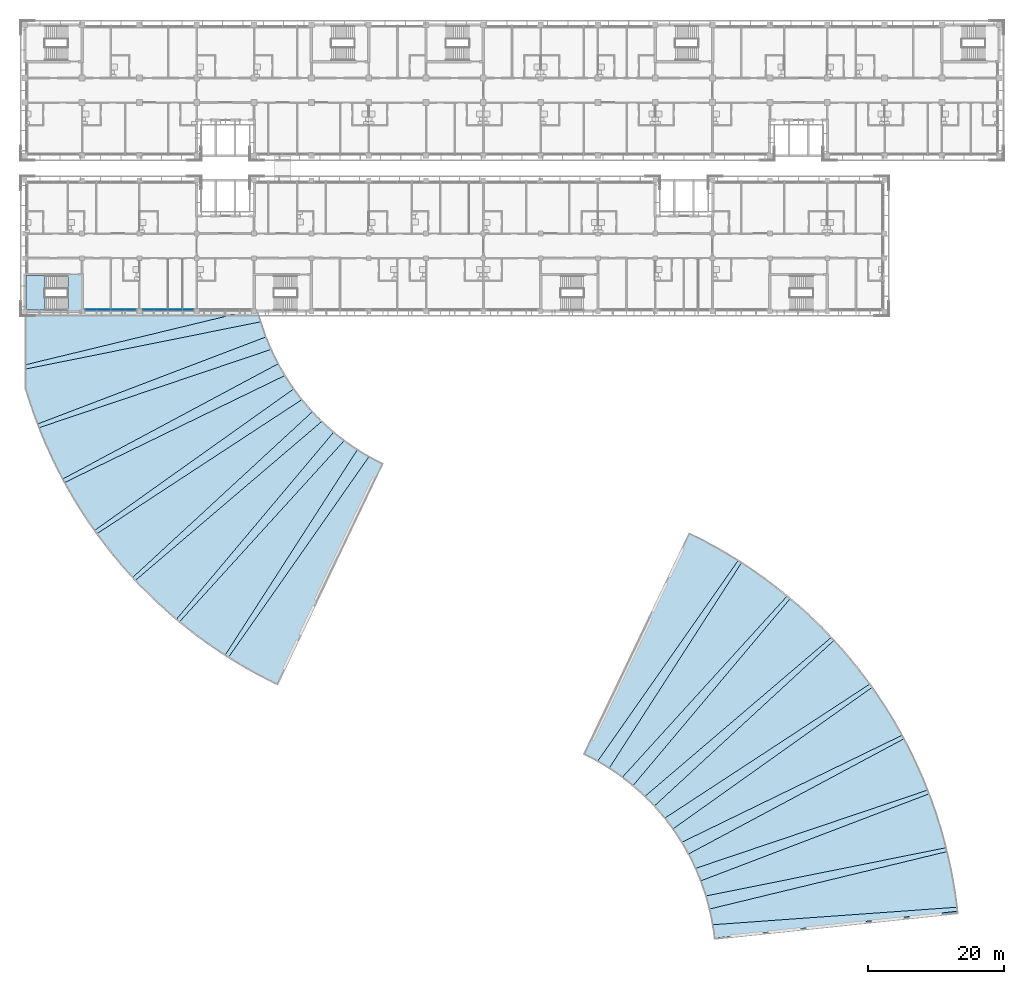
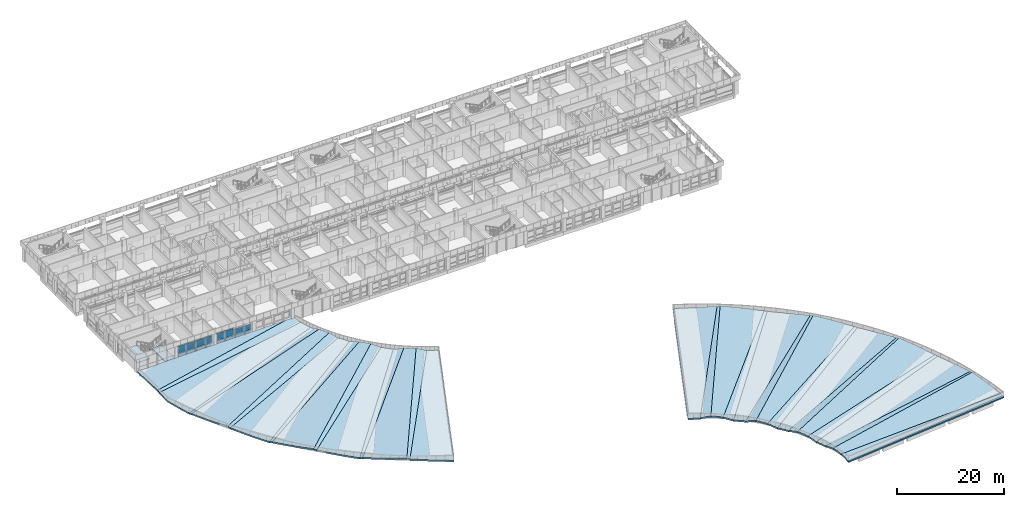
# One storey, part 20 of 74: 34 slabs, 11 plates, 3 elements without a shape of their own.
"""IFC4 building model written with IfcOpenShell, lengths in metres."""

from ifc_helpers import new_model, si_unit, direction, frame, origin, origin_2d, place, context, subcontext, project, spatial, polyline, rectangle, outline, extrude, material, layer, layer_set, type_object, element, aggregate, save


model = new_model("IFC4")

# Units and contexts
model_context = context("Model", 3, precision=1e-05, world=origin(), true_north=direction((0.0, 1.0)))
body_context = subcontext(model_context, "Body", "Model", "MODEL_VIEW")
ifc_project = project(units=[si_unit("LENGTHUNIT", "METRE"), si_unit("AREAUNIT", "SQUARE_METRE"), si_unit("VOLUMEUNIT", "CUBIC_METRE"), si_unit("PLANEANGLEUNIT", "RADIAN"), si_unit("MASSUNIT", "GRAM", prefix="KILO")], contexts=[model_context])

# Site, building, storey
site_placement = place(None, origin())
site = spatial("IfcSite", under=ifc_project, at=site_placement, CompositionType="ELEMENT")
building_placement = place(site_placement, origin())
building = spatial("IfcBuilding", under=site, at=building_placement, Name="Bougainvillea Quay General Hospital", CompositionType="ELEMENT")
storey_placement = place(building_placement, frame((0.0, 0.0, 21.0)))
storey = spatial("IfcBuildingStorey", under=building, at=storey_placement, Name="L04", CompositionType="ELEMENT", Elevation=21.0)

# Curtain wall, plates
ifc_material_1 = material(Name="Aluminium curtain wall system, powder-coated glazed", Category="aluminium")
curtain_wall_type = type_object("IfcCurtainWallType", Name="Unitised curtain wall CW-3730", PredefinedType="NOTDEFINED", material=ifc_material_1)
curtain_wall_1_placement = place(storey_placement, origin())
curtain_wall_1 = element("IfcCurtainWall", 1, at=curtain_wall_1_placement, inside=storey, type_object=curtain_wall_type, Name="CW-4200 00", PredefinedType="NOTDEFINED")
ifc_material_2 = material(Name="Insulated aluminium spandrel panel, white", Category="aluminium")
ifc_layer_1 = layer(ifc_material_2, 0.028076171875)
ifc_layer_set_1 = layer_set([ifc_layer_1], Name="Insulated aluminium spandrel panel, white")
plate_type_1 = type_object("IfcPlateType", Name="Insulated spandrel panel white 28", PredefinedType="CURTAIN_PANEL", material=ifc_layer_set_1)
plate_1_placement = place(storey_placement, frame((52.75, 117.85009765625, 0.06005859375), z_axis=(0.0, 0.0, 1.0), x_axis=(1.0, 0.0, 0.0)))
plate_1 = element("IfcPlate", 2, at=plate_1_placement, type_object=plate_type_1, Name="CW-4200 spandrel panel 1.1", PredefinedType="CURTAIN_PANEL", context=body_context, shape_type="SweptSolid", body=[
    extrude(rectangle(XDim=3.639892578125, YDim=0.028076171875, at=origin_2d()), origin(), (0.0, 0.0, 1.0), 0.81005859375),
])
plate_2_placement = place(storey_placement, frame((52.75, 117.85009765625, 2.2802734375), z_axis=(0.0, 0.0, 1.0), x_axis=(1.0, 0.0, 0.0)))
plate_2 = element("IfcPlate", 3, at=plate_2_placement, type_object=plate_type_1, Name="CW-4200 spandrel panel 1.3", PredefinedType="CURTAIN_PANEL", context=body_context, shape_type="SweptSolid", body=[
    extrude(rectangle(XDim=3.639892578125, YDim=0.028076171875, at=origin_2d()), origin(), (0.0, 0.0, 1.0), 0.409912109375),
])
plate_3_placement = place(storey_placement, frame((56.449951171875, 117.85009765625, 0.06005859375), z_axis=(0.0, 0.0, 1.0), x_axis=(1.0, 0.0, 0.0)))
plate_3 = element("IfcPlate", 4, at=plate_3_placement, type_object=plate_type_1, Name="CW-4200 spandrel panel 2.1", PredefinedType="CURTAIN_PANEL", context=body_context, shape_type="SweptSolid", body=[
    extrude(rectangle(XDim=3.639892578125, YDim=0.028076171875, at=origin_2d()), origin(), (0.0, 0.0, 1.0), 0.81005859375),
])
plate_4_placement = place(storey_placement, frame((56.449951171875, 117.85009765625, 2.2802734375), z_axis=(0.0, 0.0, 1.0), x_axis=(1.0, 0.0, 0.0)))
plate_4 = element("IfcPlate", 5, at=plate_4_placement, type_object=plate_type_1, Name="CW-4200 spandrel panel 2.3", PredefinedType="CURTAIN_PANEL", context=body_context, shape_type="SweptSolid", body=[
    extrude(rectangle(XDim=3.639892578125, YDim=0.028076171875, at=origin_2d()), origin(), (0.0, 0.0, 1.0), 0.409912109375),
])

curtain_wall_2_placement = place(storey_placement, origin())
curtain_wall_2 = element("IfcCurtainWall", 6, at=curtain_wall_2_placement, inside=storey, type_object=curtain_wall_type, Name="CW-4200 01", PredefinedType="NOTDEFINED")
plate_5_placement = place(storey_placement, frame((61.14990234375, 117.85009765625, 0.06005859375), z_axis=(0.0, 0.0, 1.0), x_axis=(1.0, 0.0, 0.0)))
plate_5 = element("IfcPlate", 7, at=plate_5_placement, type_object=plate_type_1, Name="CW-4200 spandrel panel 1.1", PredefinedType="CURTAIN_PANEL", context=body_context, shape_type="SweptSolid", body=[
    extrude(rectangle(XDim=3.639892578125, YDim=0.028076171875, at=origin_2d()), origin(), (0.0, 0.0, 1.0), 0.81005859375),
])
plate_6_placement = place(storey_placement, frame((61.14990234375, 117.85009765625, 2.2802734375), z_axis=(0.0, 0.0, 1.0), x_axis=(1.0, 0.0, 0.0)))
plate_6 = element("IfcPlate", 8, at=plate_6_placement, type_object=plate_type_1, Name="CW-4200 spandrel panel 1.3", PredefinedType="CURTAIN_PANEL", context=body_context, shape_type="SweptSolid", body=[
    extrude(rectangle(XDim=3.639892578125, YDim=0.028076171875, at=origin_2d()), origin(), (0.0, 0.0, 1.0), 0.409912109375),
])
plate_7_placement = place(storey_placement, frame((64.85009765625, 117.85009765625, 0.06005859375), z_axis=(0.0, 0.0, 1.0), x_axis=(1.0, 0.0, 0.0)))
plate_7 = element("IfcPlate", 9, at=plate_7_placement, type_object=plate_type_1, Name="CW-4200 spandrel panel 2.1", PredefinedType="CURTAIN_PANEL", context=body_context, shape_type="SweptSolid", body=[
    extrude(rectangle(XDim=3.639892578125, YDim=0.028076171875, at=origin_2d()), origin(), (0.0, 0.0, 1.0), 0.81005859375),
])

# Plate
ifc_material_3 = material(Name="Low-e laminated glass, solar control", Category="glass")
ifc_layer_2 = layer(ifc_material_3, 0.028076171875)
ifc_layer_set_2 = layer_set([ifc_layer_2], Name="Low-e laminated glass, solar control")
plate_type_2 = type_object("IfcPlateType", Name="Low-e laminated vision glass 28", PredefinedType="CURTAIN_PANEL", material=ifc_layer_set_2)
plate_8_placement = place(storey_placement, frame((52.75, 117.85009765625, 0.929931640625), z_axis=(0.0, 0.0, 1.0), x_axis=(1.0, 0.0, 0.0)))
plate_8 = element("IfcPlate", 10, at=plate_8_placement, type_object=plate_type_2, Name="CW-4200 vision glass panel 1.2", PredefinedType="CURTAIN_PANEL", context=body_context, shape_type="SweptSolid", body=[
    extrude(rectangle(XDim=3.639892578125, YDim=0.028076171875, at=origin_2d()), origin(), (0.0, 0.0, 1.0), 1.2900390625),
])

plate_9_placement = place(storey_placement, frame((56.449951171875, 117.85009765625, 0.929931640625), z_axis=(0.0, 0.0, 1.0), x_axis=(1.0, 0.0, 0.0)))
plate_9 = element("IfcPlate", 11, at=plate_9_placement, type_object=plate_type_2, Name="CW-4200 vision glass panel 2.2", PredefinedType="CURTAIN_PANEL", context=body_context, shape_type="SweptSolid", body=[
    extrude(rectangle(XDim=3.639892578125, YDim=0.028076171875, at=origin_2d()), origin(), (0.0, 0.0, 1.0), 1.2900390625),
])

aggregate(curtain_wall_1, [plate_1, plate_8, plate_2, plate_3, plate_9, plate_4])

plate_10_placement = place(storey_placement, frame((61.14990234375, 117.85009765625, 0.929931640625), z_axis=(0.0, 0.0, 1.0), x_axis=(1.0, 0.0, 0.0)))
plate_10 = element("IfcPlate", 12, at=plate_10_placement, type_object=plate_type_2, Name="CW-4200 vision glass panel 1.2", PredefinedType="CURTAIN_PANEL", context=body_context, shape_type="SweptSolid", body=[
    extrude(rectangle(XDim=3.639892578125, YDim=0.028076171875, at=origin_2d()), origin(), (0.0, 0.0, 1.0), 1.2900390625),
])

plate_11_placement = place(storey_placement, frame((64.85009765625, 117.85009765625, 0.929931640625), z_axis=(0.0, 0.0, 1.0), x_axis=(1.0, 0.0, 0.0)))
plate_11 = element("IfcPlate", 13, at=plate_11_placement, type_object=plate_type_2, Name="CW-4200 vision glass panel 2.2", PredefinedType="CURTAIN_PANEL", context=body_context, shape_type="SweptSolid", body=[
    extrude(rectangle(XDim=3.639892578125, YDim=0.028076171875, at=origin_2d()), origin(), (0.0, 0.0, 1.0), 1.2900390625),
])

aggregate(curtain_wall_2, [plate_5, plate_10, plate_6, plate_7, plate_11])

# Slabs
ifc_material_4 = material(Name="Concrete C35", Category="concrete")
ifc_layer_3 = layer(ifc_material_4, 0.300048828125)
ifc_layer_set_3 = layer_set([ifc_layer_3], Name="Concrete C35")
slab_type_1 = type_object("IfcSlabType", Name="RC FLAT SLAB 300 C35", PredefinedType="FLOOR", material=ifc_layer_set_3)
slab_1_placement = place(storey_placement, frame((0.0, 0.0, -0.300048828125)))
element("IfcSlab", 14, at=slab_1_placement, inside=storey, type_object=slab_type_1, Name="Stair landing floor ST-B1 L04", PredefinedType="FLOOR", context=body_context, shape_type="SweptSolid", body=[
    extrude(outline(polyline([(47.702880859375, 122.8837890625), (47.71142578125, 122.942138671875), (47.725830078125, 122.99951171875), (50.39990234375, 123.0), (50.39990234375, 117.60009765625), (47.725830078125, 117.600341796875), (47.71142578125, 117.657958984375), (47.702880859375, 117.71630859375), (47.699951171875, 117.77392578125), (48.300537109375, 117.7744140625), (48.300537109375, 122.82568359375), (47.699951171875, 122.825927734375), (47.702880859375, 122.8837890625)])), origin(), (0.0, 0.0, 1.0), 0.300048828125),
])
ifc_layer_4 = layer(ifc_material_4, 0.35009765625)
ifc_layer_set_4 = layer_set([ifc_layer_4], Name="Concrete C35")
slab_type_2 = type_object("IfcSlabType", Name="RC WAVED ROOF PLATE 350 C35", PredefinedType="ROOF", material=ifc_layer_set_4)
slab_2_placement = place(storey_placement, frame((92.49658203125, 96.38818359375, 0.1298828125), z_axis=(0.05026813111, -0.023979823284, 0.99844783693), x_axis=(-0.573500368386, -0.819153641927, 0.009199911897)))
element("IfcSlab", 15, at=slab_2_placement, inside=storey, type_object=slab_type_2, Name="Roof plate RP1-01", PredefinedType="ROOF", context=body_context, shape_type="SweptSolid", body=[
    extrude(outline(polyline([(0.0, 0.0), (36.083413666935975, -3.0080105073437835e-15), (36.00462326112659, 1.4149746307486326), (35.866955024796006, 3.1334945956484623), (35.68698276387815, 4.84774308786986), (35.46443094104074, 6.558092535054167), (35.200659796574705, 8.261328464552726), (-0.3047295452974218, 2.3134800936653073), (-0.17579810892597453, 1.4854695056035003), (0.0, 0.0)])), origin(), (-0.009199911897, 0.054929760159, -0.99844783693), 0.35009765625),
])
slab_3_placement = place(storey_placement, frame((71.802734375, 66.830322265625, 0.4619140625), z_axis=(0.193937407795, -0.124845244504, 0.973037484778), x_axis=(0.573499877708, 0.819153942207, -0.009203762026)))
element("IfcSlab", 16, at=slab_3_placement, inside=storey, type_object=slab_type_2, Name="Roof plate RP1-02", PredefinedType="ROOF", context=body_context, shape_type="SweptSolid", body=[
    extrude(outline(polyline([(0.0, 0.0), (36.083413666922745, 6.38378239159465e-16), (35.9954265744262, 1.039309255200537), (35.94345696458753, 2.0346848120134613), (-0.026675677529094496, 0.5985530766766313), (0.0, 0.0)])), origin(), (0.009203762026, -0.230463324592, -0.973037484778), 0.35009765625),
])
slab_4_placement = place(storey_placement, frame((71.31103515625, 67.1435546875, 0.60009765625), z_axis=(-0.04682218746, 0.03014246037, 0.998448353619), x_axis=(0.541291532978, 0.840834987573, -3.82256e-07)))
element("IfcSlab", 17, at=slab_4_placement, inside=storey, type_object=slab_type_2, Name="Roof plate RP1-03", PredefinedType="ROOF", context=body_context, shape_type="SweptSolid", body=[
    extrude(outline(polyline([(0.0, 0.0), (35.99879048885003, 0.0), (36.03211037301739, 1.5400830513242636), (36.07743408213258, 2.3323715195145995), (0.4896003456278555, 8.295103558389147), (0.30924227706533425, 6.610212244004607), (0.16817409236512143, 4.8921951780096276), (0.0691644408573546, 3.170178109746014), (0.012460935212556987, 1.4469429288209392), (0.0, 0.0)])), origin(), (3.82256e-07, 0.055685591992, -0.998448353619), 0.35009765625),
])
slab_5_placement = place(storey_placement, frame((64.612060546875, 72.038330078125, 0.13818359375), z_axis=(-0.176574770734, 0.148394267329, 0.973036737109), x_axis=(0.672579314551, 0.739967833816, 0.009201660512)))
element("IfcSlab", 18, at=slab_5_placement, inside=storey, type_object=slab_type_2, Name="Roof plate RP1-04", PredefinedType="ROOF", context=body_context, shape_type="SweptSolid", body=[
    extrude(outline(polyline([(0.0, 0.0), (36.083903383982275, -4.163336342344337e-16), (36.00800096699583, 0.9005663153138009), (35.94694600370342, 2.034825015404592), (-0.022043415657381292, 0.5986822333113877), (0.0, 0.0)])), origin(), (-0.009201660512, 0.23046656521, -0.973036737109), 0.35009765625),
])
slab_6_placement = place(storey_placement, frame((64.1669921875, 72.414794921875, 0.0), z_axis=(0.042632172848, -0.03582804415, 0.998448220536), x_axis=(0.643372909441, 0.765552937032, -1.20842e-07)))
element("IfcSlab", 19, at=slab_6_placement, inside=storey, type_object=slab_type_2, Name="Roof plate RP1-05", PredefinedType="ROOF", context=body_context, shape_type="SweptSolid", body=[
    extrude(outline(polyline([(0.0, 0.0), (35.99764861682919, -3.552713678800501e-15), (36.02435620747323, 1.4051694877232388), (36.07621149287963, 2.332292997886138), (0.48928403869388254, 8.294706023161801), (0.28170508838840175, 6.333553699841002), (0.14695293909758333, 4.615143623010847), (0.055414526138637586, 2.893483774545945), (0.004771504520300882, 1.1698401523523336), (0.0, 0.0)])), origin(), (1.20842e-07, -0.055687978141, -0.998448220536), 0.35009765625),
])
slab_7_placement = place(storey_placement, frame((58.1416015625, 78.11767578125, 0.4619140625), z_axis=(0.156364963131, -0.169544541968, 0.973038872088), x_axis=(0.760833643514, 0.648881730526, -0.009201450302)))
element("IfcSlab", 20, at=slab_7_placement, inside=storey, type_object=slab_type_2, Name="Roof plate RP1-06", PredefinedType="ROOF", context=body_context, shape_type="SweptSolid", body=[
    extrude(outline(polyline([(0.0, 0.0), (36.0829568454867, -1.249000902703301e-16), (36.01594206543657, 0.76330353982219), (35.9456449409359, 2.0347179294744855), (-0.023474525278855286, 0.5988209582608661), (0.0, 0.0)])), origin(), (0.009201450302, -0.230457559473, -0.973038872088), 0.35009765625),
])
slab_8_placement = place(storey_placement, frame((57.74658203125, 78.546630859375, 0.60009765625), z_axis=(-0.037757985189, 0.040937989118, 0.998448003454), x_axis=(0.735105432614, 0.677952802883, 2.078796e-06)))
element("IfcSlab", 21, at=slab_8_placement, inside=storey, type_object=slab_type_2, Name="Roof plate RP1-07", PredefinedType="ROOF", context=body_context, shape_type="SweptSolid", body=[
    extrude(outline(polyline([(0.0, 0.0), (35.99776875424807, 0.0), (36.01851035998129, 1.2704607842277356), (36.07636933197543, 2.3319999591180984), (0.4907385431450439, 8.29428552783681), (0.42624987056518465, 7.773406308200705), (0.2569322950021396, 6.0577507805784006), (0.12907064707856092, 4.338063073253575), (0.04364406844180489, 2.6157627792309808), (0.0005967454693819742, 0.8922412931736153), (0.0, 0.0)])), origin(), (-2.078796e-06, 0.055691870091, -0.998448003454), 0.35009765625),
])
slab_9_placement = place(storey_placement, frame((52.492919921875, 84.967041015625, 0.13818359375), z_axis=(-0.133637449416, 0.187966929417, 0.97304134833), x_axis=(0.836854067491, 0.547348734587, 0.009199590714)))
element("IfcSlab", 22, at=slab_9_placement, inside=storey, type_object=slab_type_2, Name="Roof plate RP1-08", PredefinedType="ROOF", context=body_context, shape_type="SweptSolid", body=[
    extrude(outline(polyline([(0.0, 0.0), (36.08165694423135, -3.524958103184872e-15), (36.02446714496741, 0.6254686977062124), (35.94327431554721, 2.034873173530644), (-0.025752656149757337, 0.5986521960735147), (0.0, 0.0)])), origin(), (-0.009199590714, 0.230447178268, -0.97304134833), 0.35009765625),
])
slab_10_placement = place(storey_placement, frame((52.153564453125, 85.441162109375, 0.0), z_axis=(0.032266334098, -0.04539194673, 0.998448023112), x_axis=(0.815007447218, 0.579450481883, 5.090722e-06)))
element("IfcSlab", 23, at=slab_10_placement, inside=storey, type_object=slab_type_2, Name="Roof plate RP1-09", PredefinedType="ROOF", context=body_context, shape_type="SweptSolid", body=[
    extrude(outline(polyline([(0.0, 0.0), (35.997689258598996, 0.0), (36.01390258036115, 1.1360369790143463), (36.077636348466115, 2.331847380663468), (0.492081706513575, 8.294430877381085), (0.3964249728479444, 7.497579705109442), (0.23347701096507342, 5.781370568385068), (0.11330655589355226, 4.06171308024991), (0.033755925358968354, 2.338928957060219), (-0.0019165188132556018, 0.6155042371424719), (0.0, 0.0)])), origin(), (-5.090722e-06, -0.05569151747, -0.998448023112), 0.35009765625),
])
slab_11_placement = place(storey_placement, frame((47.755859375, 92.475830078125, 0.4619140625), z_axis=(0.108771824886, -0.203368688064, 0.973041554522), x_axis=(0.899408924936, 0.437011293852, -0.009204063837)))
element("IfcSlab", 24, at=slab_11_placement, inside=storey, type_object=slab_type_2, Name="Roof plate RP1-10", PredefinedType="ROOF", context=body_context, shape_type="SweptSolid", body=[
    extrude(outline(polyline([(0.0, 0.0), (36.0816310765986, -1.7069679003611782e-15), (35.974055149823016, 1.344615352919237), (35.941266844910224, 2.0350223034428665), (-0.028081640692310318, 0.5983396036221572), (0.0, 0.0)])), origin(), (0.009204063837, -0.230446129025, -0.973041554522), 0.35009765625),
])
slab_12_placement = place(storey_placement, frame((47.477294921875, 92.98779296875, 0.60009765625), z_axis=(-0.026265632613, 0.049108976158, 0.998448008163), x_axis=(0.881796065359, 0.471630892878, -3.7937e-07)))
element("IfcSlab", 25, at=slab_12_placement, inside=storey, type_object=slab_type_2, Name="Roof plate RP1-11", PredefinedType="ROOF", context=body_context, shape_type="SweptSolid", body=[
    extrude(outline(polyline([(0.0, 0.0), (35.99802894130031, 0.0), (36.01077132393794, 1.0011601431040622), (36.07854719138708, 2.331924207794329), (0.4931450034987499, 8.294349114858102), (0.36910487192168534, 7.221651871670698), (0.21232276705119782, 5.505426866993755), (0.09833132673081947, 3.7842919448508057), (0.026905168690687414, 2.0620019452338227), (0.0, 0.0)])), origin(), (3.7937e-07, 0.055691785711, -0.998448008163), 0.35009765625),
])
slab_13_placement = place(storey_placement, frame((44.00634765625, 100.52294921875, 0.13818359375), z_axis=(-0.082155184382, 0.215502990045, 0.973041102401), x_axis=(0.947488632018, 0.31965702377, 0.009202138358)))
element("IfcSlab", 26, at=slab_13_placement, inside=storey, type_object=slab_type_2, Name="Roof plate RP1-12", PredefinedType="ROOF", context=body_context, shape_type="SweptSolid", body=[
    extrude(outline(polyline([(0.0, 0.0), (36.081454511234675, 1.8041124150158794e-16), (35.982942870060036, 1.20600701418029), (35.940413409457754, 2.0346435319275367), (-0.030731941839395115, 0.5985640915388264), (0.0, 0.0)])), origin(), (-0.009202138358, 0.23044811496, -0.973041102401), 0.35009765625),
])
slab_14_placement = place(storey_placement, frame((43.792236328125, 101.0654296875, 0.0), z_axis=(0.0198325112, -0.052025587135, 0.998448801783), x_axis=(0.934405961824, 0.35620990793, 4.13542e-07)))
element("IfcSlab", 27, at=slab_14_placement, inside=storey, type_object=slab_type_2, Name="Roof plate RP1-13", PredefinedType="ROOF", context=body_context, shape_type="SweptSolid", body=[
    extrude(outline(polyline([(0.0, 0.0), (35.999800305670526, 0.0), (36.010048290130264, 0.8664566560743543), (36.0732770244696, 2.3333885891028756), (1.194396405770794, 8.177218627107369), (0.1884686092873076, 5.534376474592612), (0.08696760630042588, 3.507654248477278), (0.021833214744522513, 1.7844677100905808), (0.0, 0.0)])), origin(), (-4.13542e-07, -0.055677555775, -0.998448801783), 0.35009765625),
])
slab_15_placement = place(storey_placement, frame((42.0, 109.119873046875, 0.455322265625), z_axis=(0.054224290779, -0.224211339558, 0.973030832761), x_axis=(0.98033040183, 0.197148697917, -0.00920294282)))
element("IfcSlab", 28, at=slab_15_placement, inside=storey, type_object=slab_type_2, Name="Roof plate RP1-14", PredefinedType="ROOF", context=body_context, shape_type="SweptSolid", body=[
    extrude(outline(polyline([(0.0, 0.0), (35.36504860357176, 4.85722573273506e-16), (35.179037503507615, 1.6185452783089622), (33.49872090675801, 1.9656465279437674), (0.1225112926389782, 0.6328927669887294), (0.0, 0.0)])), origin(), (0.00920294282, -0.230491440927, -0.973030832761), 0.35009765625),
])
slab_16_placement = place(storey_placement, frame((42.0, 109.748046875, 0.60009765625), z_axis=(-0.013093998641, 0.054141294548, 0.998447428473), x_axis=(0.971978062614, 0.235071575902, 0.0)))
element("IfcSlab", 29, at=slab_16_placement, inside=storey, type_object=slab_type_2, Name="Roof plate RP1-15", PredefinedType="ROOF", context=body_context, shape_type="SweptSolid", body=[
    extrude(outline(polyline([(0.0, 0.0), (33.40280827705717, 0.0), (1.8457939512132724, 7.643888789997197), (0.0, 0.0)])), origin(), (0.0, 0.055702177478, -0.998447428473), 0.35009765625),
])
slab_17_placement = place(storey_placement, frame((123.8369140625, 52.68798828125, 0.0), z_axis=(-0.050270822043, 0.023978828278, 0.998447725344), x_axis=(0.894377884033, -0.443831961639, 0.055690128214)))
element("IfcSlab", 30, at=slab_17_placement, inside=storey, type_object=slab_type_2, Name="Roof plate RP1-16", PredefinedType="ROOF", context=body_context, shape_type="SweptSolid", body=[
    extrude(outline(polyline([(0.0, 0.0), (1.0544856609503062, -5.0550926292136644e-17), (2.3328007211241153, -0.04609214780703653), (7.740794406440501, 35.629010440588964), (5.942330100572403, 35.79567451677813), (3.7775486054684917, 35.92882747707502), (1.6097198535407582, 35.99560596659826), (-0.5594126017072032, 35.99578628265487), (0.0, 0.0)])), origin(), (-0.055690128214, -0.000865663864, -0.998447725344), 0.35009765625),
])
slab_18_placement = place(storey_placement, frame((146.596435546875, 81.16845703125, 0.4619140625), z_axis=(-0.193910598486, 0.124829487309, 0.973044849374), x_axis=(-0.573505127617, -0.819150278895, -0.009202672614)))
element("IfcSlab", 31, at=slab_18_placement, inside=storey, type_object=slab_type_2, Name="Roof plate RP1-17", PredefinedType="ROOF", context=body_context, shape_type="SweptSolid", body=[
    extrude(outline(polyline([(0.0, 0.0), (36.08267368686585, -7.216449660063518e-16), (36.007986904881186, 0.845841595978368), (35.94222480107218, 2.0349359300047456), (-0.027899254979283868, 0.5985891575177992), (0.0, 0.0)])), origin(), (0.009202672614, -0.23043227188, -0.973044849374), 0.35009765625),
])
slab_19_placement = place(storey_placement, frame((147.0888671875, 80.856201171875, 0.60009765625), z_axis=(0.046827487028, -0.030143416353, 0.998448076221), x_axis=(-0.541291436292, -0.840835049813, 1.679327e-06)))
element("IfcSlab", 32, at=slab_19_placement, inside=storey, type_object=slab_type_2, Name="Roof plate RP1-18", PredefinedType="ROOF", context=body_context, shape_type="SweptSolid", body=[
    extrude(outline(polyline([(0.0, 0.0), (35.99879048880174, -3.552713678800501e-15), (36.010483289648015, 0.9462637149336627), (36.080470981114175, 2.33171436434144), (0.4909500786009134, 8.29481148930747), (0.27839842001096166, 6.278286474136036), (0.11788249683593822, 4.115308242139973), (0.02440669652221711, 1.9478625175670354), (0.0, 0.0)])), origin(), (-1.679327e-06, 0.055690565521, -0.998448076221), 0.35009765625),
])
slab_20_placement = place(storey_placement, frame((153.786865234375, 75.96044921875, 0.13818359375), z_axis=(0.176554948928, -0.14837435844, 0.973043369931), x_axis=(-0.672580599524, -0.73996664359, 0.009203451424)))
element("IfcSlab", 33, at=slab_20_placement, inside=storey, type_object=slab_type_2, Name="Roof plate RP1-19", PredefinedType="ROOF", context=body_context, shape_type="SweptSolid", body=[
    extrude(outline(polyline([(0.0, 0.0), (36.085627684702146, -1.4016565685892601e-15), (36.01812546661716, 0.7351394324983674), (35.94590711524395, 2.0349469494966907), (-0.02307926361158087, 0.5987280205422506), (0.0, 0.0)])), origin(), (-0.009203451424, 0.230438487921, -0.973043369931), 0.35009765625),
])
slab_21_placement = place(storey_placement, frame((154.232666015625, 75.584716796875, 0.0), z_axis=(-0.042633085517, 0.035831097592, 0.998448071992), x_axis=(-0.643372984066, -0.765552874315, 1.626827e-06)))
element("IfcSlab", 34, at=slab_21_placement, inside=storey, type_object=slab_type_2, Name="Roof plate RP1-20", PredefinedType="ROOF", context=body_context, shape_type="SweptSolid", body=[
    extrude(outline(polyline([(0.0, 0.0), (35.997648616781674, 0.0), (36.005294802534756, 0.8387961670114956), (36.07840259347113, 2.331584246280393), (0.48722018241696535, 8.294884720008831), (0.25706436393362464, 6.056972599738442), (0.10252669054139282, 3.8939007409215933), (0.015497807746454732, 1.7260081809718197), (0.0, 0.0)])), origin(), (-1.626827e-06, -0.055690641338, -0.998448071992), 0.35009765625),
])
slab_22_placement = place(storey_placement, frame((160.259521484375, 69.88330078125, 0.4619140625), z_axis=(-0.156353544812, 0.169531061082, 0.973043055755), x_axis=(-0.760836444834, -0.648878431028, -0.009202497457)))
element("IfcSlab", 35, at=slab_22_placement, inside=storey, type_object=slab_type_2, Name="Roof plate RP1-21", PredefinedType="ROOF", context=body_context, shape_type="SweptSolid", body=[
    extrude(outline(polyline([(0.0, 0.0), (36.08729995376427, -1.0547118733938987e-15), (36.02779447088176, 0.6250640101296274), (35.94770089178911, 2.0350419715442203), (-0.02035234035395085, 0.5987319524909605), (0.0, 0.0)])), origin(), (0.009202497457, -0.230439852645, -0.973043055755), 0.35009765625),
])
slab_23_placement = place(storey_placement, frame((160.652099609375, 69.452392578125, 0.60009765625), z_axis=(0.037758246902, -0.040939028388, 0.998447950945), x_axis=(-0.735099760658, -0.677958952946, 1.099146e-06)))
element("IfcSlab", 36, at=slab_23_placement, inside=storey, type_object=slab_type_2, Name="Roof plate RP1-22", PredefinedType="ROOF", context=body_context, shape_type="SweptSolid", body=[
    extrude(outline(polyline([(0.0, 0.0), (35.99671984750435, -3.552713678800501e-15), (36.00127247588905, 0.730259099058565), (36.04014207057481, 1.7830682421156225), (36.07691339056677, 2.3315453032070366), (0.4887244195057846, 8.294542278512733), (0.23604936115016084, 5.835919269993765), (0.08914428569822026, 3.671784584673847), (0.00887901170993367, 1.504634170699512), (0.0, 0.0)])), origin(), (-1.099146e-06, 0.055692811505, -0.998447950945), 0.35009765625),
])
slab_24_placement = place(storey_placement, frame((165.907470703125, 63.033203125, 0.13818359375), z_axis=(0.133624696333, -0.187942624122, 0.973047794596), x_axis=(-0.836853309456, -0.547349854522, 0.009201913235)))
element("IfcSlab", 37, at=slab_24_placement, inside=storey, type_object=slab_type_2, Name="Roof plate RP1-23", PredefinedType="ROOF", context=body_context, shape_type="SweptSolid", body=[
    extrude(outline(polyline([(0.0, 0.0), (36.08429751537502, -3.913536161803677e-15), (36.03390608551297, 0.5151919459055634), (35.94516991493107, 2.035062996384451), (-0.02209779715580452, 0.5988888698677861), (0.0, 0.0)])), origin(), (-0.009201913235, 0.230419865083, -0.973047794596), 0.35009765625),
])
slab_25_placement = place(storey_placement, frame((166.243896484375, 62.556884765625, 0.0), z_axis=(-0.032273048316, 0.045392248314, 0.998447792398), x_axis=(-0.815006427365, -0.579451916343, -1.16717e-07)))
element("IfcSlab", 38, at=slab_25_placement, inside=storey, type_object=slab_type_2, Name="Roof plate RP1-24", PredefinedType="ROOF", context=body_context, shape_type="SweptSolid", body=[
    extrude(outline(polyline([(0.0, 0.0), (35.995929530944046, 0.0), (35.997629962262906, 0.6231336127917875), (36.03321370017797, 1.6754744595361537), (36.07539813056732, 2.3315911769216693), (0.4902501896772649, 8.293944392061169), (0.4240410563928543, 7.774043138525997), (0.21670759917666715, 5.615116842892434), (0.07619551400409258, 3.4503022956252662), (0.003746953071646509, 1.282633111613959), (0.0, 0.0)])), origin(), (1.16717e-07, -0.055695653822, -0.998447792398), 0.35009765625),
])
slab_26_placement = place(storey_placement, frame((170.642822265625, 55.523681640625, 0.4619140625), z_axis=(-0.108757275833, 0.203338246431, 0.973049542671), x_axis=(-0.899406483693, -0.437016342961, -0.009202884129)))
element("IfcSlab", 39, at=slab_26_placement, inside=storey, type_object=slab_type_2, Name="Roof plate RP1-25", PredefinedType="ROOF", context=body_context, shape_type="SweptSolid", body=[
    extrude(outline(polyline([(0.0, 0.0), (36.08119191267407, -2.456368441983159e-15), (35.964483529993075, 1.4831959122179577), (35.94247691038821, 2.035044665488591), (-0.024263410094491164, 0.5989212415259457), (0.0, 0.0)])), origin(), (0.009202884129, -0.230412444178, -0.973049542671), 0.35009765625),
])
slab_27_placement = place(storey_placement, frame((170.918212890625, 55.009521484375, 0.60009765625), z_axis=(0.0262690815, -0.049113032649, 0.998447717901), x_axis=(-0.881799371647, -0.471624711144, 1.141495e-06)))
element("IfcSlab", 40, at=slab_27_placement, inside=storey, type_object=slab_type_2, Name="Roof plate RP1-26", PredefinedType="ROOF", context=body_context, shape_type="SweptSolid", body=[
    extrude(outline(polyline([(0.0, 0.0), (35.99540053643162, 1.7763568394002505e-15), (35.995329382413225, 0.5147089236742118), (36.02742815920565, 1.568705926765316), (36.074365280437505, 2.3316398026955527), (0.4902275552464172, 8.293667693026995), (0.3983814130741611, 7.553954508787704), (0.1986245182081995, 5.393791330740962), (0.06525394872311817, 3.2288342452452032), (-0.000378587546379699, 1.060586513206276), (0.0, 0.0)])), origin(), (-1.141495e-06, 0.055696989304, -0.998447717901), 0.35009765625),
])
slab_28_placement = place(storey_placement, frame((174.391357421875, 47.476318359375, 0.13818359375), z_axis=(0.082141128004, -0.215459988267, 0.973051811851), x_axis=(-0.947489232632, -0.319655220811, 0.009202926407)))
element("IfcSlab", 41, at=slab_28_placement, inside=storey, type_object=slab_type_2, Name="Roof plate RP1-27", PredefinedType="ROOF", context=body_context, shape_type="SweptSolid", body=[
    extrude(outline(polyline([(0.0, 0.0), (36.080141826441945, 2.914335439641036e-16), (35.97043661818053, 1.3723201047591318), (35.94180000291729, 2.035015062314425), (-0.02594505975829597, 0.5990080361882297), (0.0, 0.0)])), origin(), (-0.009202926407, 0.230402859355, -0.973051811851), 0.35009765625),
])
slab_29_placement = place(storey_placement, frame((174.60107421875, 46.931884765625, 0.0), z_axis=(-0.019833327091, 0.052019570921, 0.998449099042), x_axis=(-0.934406003674, -0.356209798141, -2.502931e-06)))
element("IfcSlab", 42, at=slab_29_placement, inside=storey, type_object=slab_type_2, Name="Roof plate RP1-28", PredefinedType="ROOF", context=body_context, shape_type="SweptSolid", body=[
    extrude(outline(polyline([(0.0, 0.0), (35.99639983509212, 0.0), (36.02359048456393, 1.4608087547058655), (36.07429726948607, 2.331966605328737), (0.4917406731032549, 8.29371224293313), (0.37605695237232245, 7.333547847727851), (0.18270226845331544, 5.172580862733465), (0.0564759988206279, 3.0074412563455524), (-0.002730248326224762, 0.839213780022181), (0.0, 0.0)])), origin(), (2.502931e-06, -0.055672224817, -0.998449099042), 0.35009765625),
])
slab_30_placement = place(storey_placement, frame((177.09130859375, 39.01904296875, 0.461669921875), z_axis=(-0.054231214911, 0.224255925188, 0.973020172117), x_axis=(-0.980330440898, -0.197148593761, -0.009201012258)))
element("IfcSlab", 43, at=slab_30_placement, inside=storey, type_object=slab_type_2, Name="Roof plate RP1-29", PredefinedType="ROOF", context=body_context, shape_type="SweptSolid", body=[
    extrude(outline(polyline([(0.0, 0.0), (36.07853579336966, -1.124100812432971e-15), (35.97641982056646, 1.2620006376858148), (35.94072079823853, 2.034757966122872), (-0.027802050295405854, 0.5987457935757463), (0.0, 0.0)])), origin(), (0.009201012258, -0.230536517771, -0.973020172117), 0.35009765625),
])
slab_31_placement = place(storey_placement, frame((177.232177734375, 38.453125, 0.60009765625), z_axis=(0.013094509799, -0.054132390229, 0.998447904571), x_axis=(-0.97197965791, -0.23506497953, 2.972568e-06)))
element("IfcSlab", 44, at=slab_31_placement, inside=storey, type_object=slab_type_2, Name="Roof plate RP1-30", PredefinedType="ROOF", context=body_context, shape_type="SweptSolid", body=[
    extrude(outline(polyline([(0.0, 0.0), (35.99717720691011, 0.0), (36.019944439543316, 1.352963916184896), (36.07453853354601, 2.332175566831347), (0.4930846538751296, 8.293794907716274), (0.3545942238632121, 7.1127693203148015), (0.16814634868997824, 4.951919116297564), (0.04829451104297515, 2.7860093519894953), (-0.004150100246447965, 0.6173520417805288), (0.0, 0.0)])), origin(), (-2.972568e-06, 0.055693642814, -0.998447904571), 0.35009765625),
])
slab_32_placement = place(storey_placement, frame((178.699462890625, 30.288330078125, 0.13818359375), z_axis=(0.025398977354, -0.229218062026, 0.973043663969), x_axis=(-0.997400557937, -0.071466753296, 0.009199467429)))
element("IfcSlab", 45, at=slab_32_placement, inside=storey, type_object=slab_type_2, Name="Roof plate RP1-31", PredefinedType="ROOF", context=body_context, shape_type="SweptSolid", body=[
    extrude(outline(polyline([(0.0, 0.0), (36.07742736596392, 8.326672684688674e-16), (35.982778403436164, 1.1525717358146657), (35.9391262822167, 2.0347506939799094), (-0.029770927703634268, 0.5987291443838073), (0.0, 0.0)])), origin(), (-0.009199467429, 0.230437405403, -0.973043663969), 0.35009765625),
])
slab_33_placement = place(storey_placement, frame((178.76953125, 29.709228515625, 0.0), z_axis=(-0.006125259554, 0.055288293789, 0.99845164418), x_axis=(-0.993916616044, -0.11013519124, 1.191406e-06)))
element("IfcSlab", 46, at=slab_33_placement, inside=storey, type_object=slab_type_2, Name="Roof plate RP1-32", PredefinedType="ROOF", context=body_context, shape_type="SweptSolid", body=[
    extrude(outline(polyline([(0.0, 0.0), (35.997551644344256, 1.3322676295501878e-15), (35.995741945826644, 0.192341605253708), (-0.0038653476474385822, 0.39577403978976344), (0.0, 0.0)])), origin(), (-1.191406e-06, -0.055626560502, -0.99845164418), 0.35009765625),
])

# Stair, slab
stair_type = type_object("IfcStairType", Name="Stair half-turn 1925 wide", PredefinedType="HALF_TURN_STAIR", material=ifc_material_4)
stair_placement = place(storey_placement, origin())
stair = element("IfcStair", 47, at=stair_placement, inside=storey, type_object=stair_type, Name="L04 stair ST-B1", PredefinedType="HALF_TURN_STAIR")
ifc_layer_5 = layer(ifc_material_4, 0.199951171875)
ifc_layer_set_5 = layer_set([ifc_layer_5], Name="Concrete C35")
slab_type_3 = type_object("IfcSlabType", Name="Stair landing 200", PredefinedType="LANDING", material=ifc_layer_set_5)
slab_34_placement = place(storey_placement, frame((0.0, 0.0, 1.75)))
slab_34 = element("IfcSlab", 48, at=slab_34_placement, type_object=slab_type_3, Name="ST-B1 landing 1", PredefinedType="LANDING", context=body_context, shape_type="SweptSolid", body=[
    extrude(outline(polyline([(44.93994140625, 122.824951171875), (42.175048828125, 122.824951171875), (42.175048828125, 117.77490234375), (44.93994140625, 117.77490234375), (44.93994140625, 122.824951171875)])), origin(), (0.0, 0.0, 1.0), 0.199951171875),
])
aggregate(stair, [slab_34])

save(model, "model.ifc")
